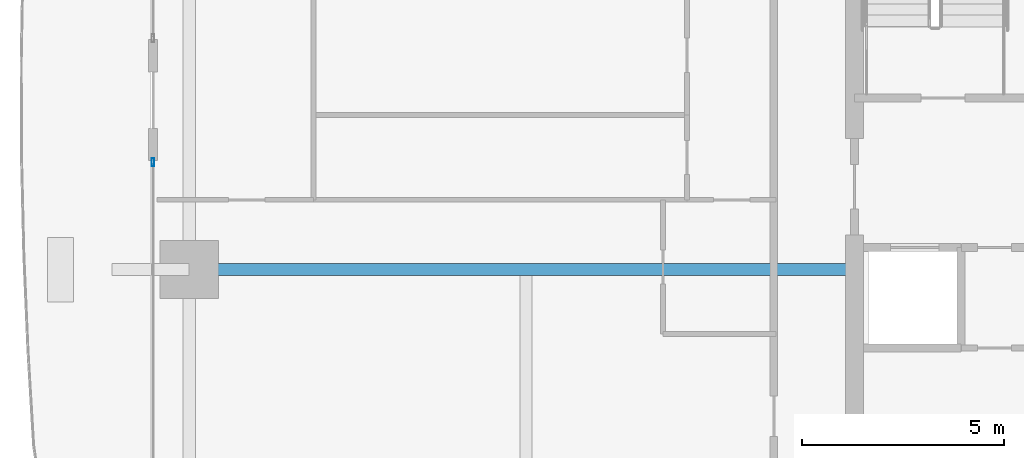
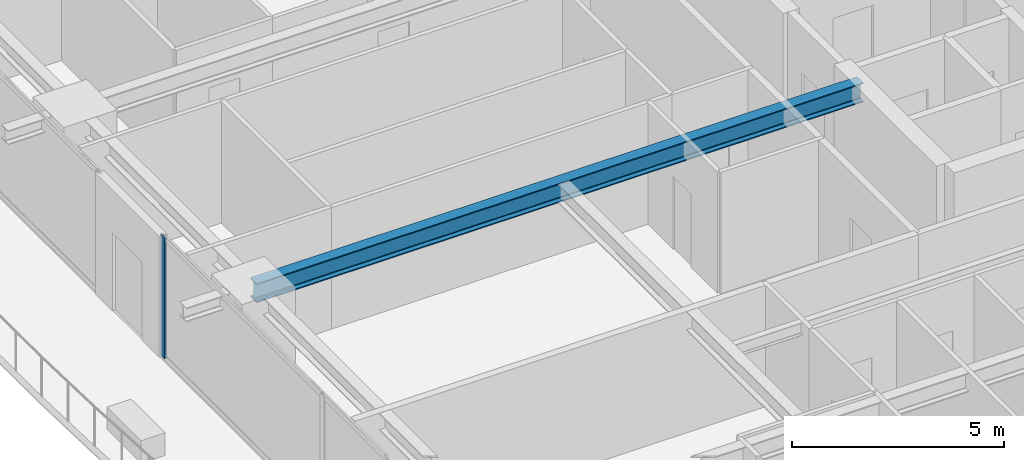
# One storey, part 8 of 41: 1 beam, 1 member, 1 element without a shape of its own.
"""IFC4 building model written with IfcOpenShell, lengths in metres."""

from ifc_helpers import new_model, si_unit, direction, frame, origin, origin_2d, place, context, subcontext, project, spatial, hollow_rectangle, i_section, extrude, source, transform, mapped, material, layer, layer_set, material_profile, profile_set, type_object, element, aggregate, save


model = new_model("IFC4")

# Units and contexts
model_context = context("Model", 3, precision=1e-05, world=origin(), true_north=direction((0.0, 1.0)))
body_context = subcontext(model_context, "Body", "Model", "MODEL_VIEW")
ifc_project = project(units=[si_unit("LENGTHUNIT", "METRE"), si_unit("AREAUNIT", "SQUARE_METRE"), si_unit("VOLUMEUNIT", "CUBIC_METRE"), si_unit("PLANEANGLEUNIT", "RADIAN"), si_unit("MASSUNIT", "GRAM", prefix="KILO")], contexts=[model_context])

# Site, building, storey
site_placement = place(None, origin())
site = spatial("IfcSite", under=ifc_project, at=site_placement, CompositionType="ELEMENT")
building_placement = place(site_placement, origin())
building = spatial("IfcBuilding", under=site, at=building_placement, Name="Serunith Strait Residences", CompositionType="ELEMENT")
storey_placement = place(building_placement, frame((0.0, 0.0, 75.449951171875)))
storey = spatial("IfcBuildingStorey", under=building, at=storey_placement, Name="L18", CompositionType="ELEMENT", Elevation=75.449951171875)

# Beam
ifc_material_1 = material(Name="Steel S355J2", Category="steel")
ifc_material_profile_1 = material_profile(ifc_material_1, i_section(OverallWidth=0.300048828125, OverallDepth=0.550048828125, WebThickness=0.014892578125, FlangeThickness=0.029052734375, FilletRadius=0.027099609375, at=origin_2d()), Name="HEB 550")
ifc_profile_set_1 = profile_set([ifc_material_profile_1], Name="Steel S355J2")
beam_type = type_object("IfcBeamType", Name="BM-HEB550", PredefinedType="BEAM", material=ifc_profile_set_1)
shared_shape_1 = source(origin(), body_context, "Body", "SweptSolid", [
    extrude(i_section(OverallWidth=0.300048828125, OverallDepth=0.550048828125, WebThickness=0.014892578125, FlangeThickness=0.029052734375, FilletRadius=0.027099609375, at=origin_2d()), origin(), (0.0, 0.0, 1.0), 16.5),
])
beam_placement = place(storey_placement, frame((23.39990234375, 21.0, 3.212158203125), z_axis=(-1.0, 0.0, 0.0), x_axis=(0.0, -1.0, 0.0)))
element("IfcBeam", 1, at=beam_placement, inside=storey, type_object=beam_type, Name="L18 Primary Floor Girder TC-W2", PredefinedType="BEAM", context=body_context, shape_type="MappedRepresentation", body=[
    mapped(shared_shape_1, transform((0.0, 0.0, 0.0), scale=1.0)),
])

# Curtain wall, member
ifc_material_2 = material(Name="Pale-Champagne Anodised Aluminium", Category="aluminium")
ifc_layer = layer(ifc_material_2, 0.199951171875, Name="Pale-Champagne Anodised Aluminium")
ifc_layer_set = layer_set([ifc_layer], Name="Pale-Champagne Anodised Aluminium")
curtain_wall_type = type_object("IfcCurtainWallType", Name="CW-SYS1", PredefinedType="NOTDEFINED", material=ifc_layer_set)
curtain_wall_placement = place(storey_placement, origin())
curtain_wall = element("IfcCurtainWall", 2, at=curtain_wall_placement, inside=storey, type_object=curtain_wall_type, Name="L18 W Unitised Fritted Curtain Wall", PredefinedType="NOTDEFINED")
ifc_material_profile_2 = material_profile(ifc_material_2, hollow_rectangle(XDim=0.070068359375, YDim=0.199951171875, WallThickness=0.00390625, InnerFilletRadius=0.006103515625, OuterFilletRadius=0.010009765625, at=origin_2d()), Name="ALU 200x70x4")
ifc_profile_set_2 = profile_set([ifc_material_profile_2], Name="Pale-Champagne Anodised Aluminium")
member_type = type_object("IfcMemberType", Name="CW-SYS1-MULL", PredefinedType="MULLION", material=ifc_profile_set_2)
shared_shape_2 = source(origin(), body_context, "Body", "SweptSolid", [
    extrude(hollow_rectangle(XDim=0.070068359375, YDim=0.199951171875, WallThickness=0.00390625, InnerFilletRadius=0.006103515625, OuterFilletRadius=0.010009765625, at=origin_2d()), origin(), (0.0, 0.0, 1.0), 3.47509765625),
])
member_placement = place(storey_placement, frame((6.0, 23.6650390625, 0.0), z_axis=(0.0, 0.0, 1.0), x_axis=(1.0, 0.0, 0.0)))
member = element("IfcMember", 3, at=member_placement, type_object=member_type, Name="CW-1 mullion 1", PredefinedType="MULLION", context=body_context, shape_type="MappedRepresentation", body=[
    mapped(shared_shape_2, transform((0.0, 0.0, 0.0), scale=1.0)),
])
aggregate(curtain_wall, [member])

save(model, "model.ifc")
